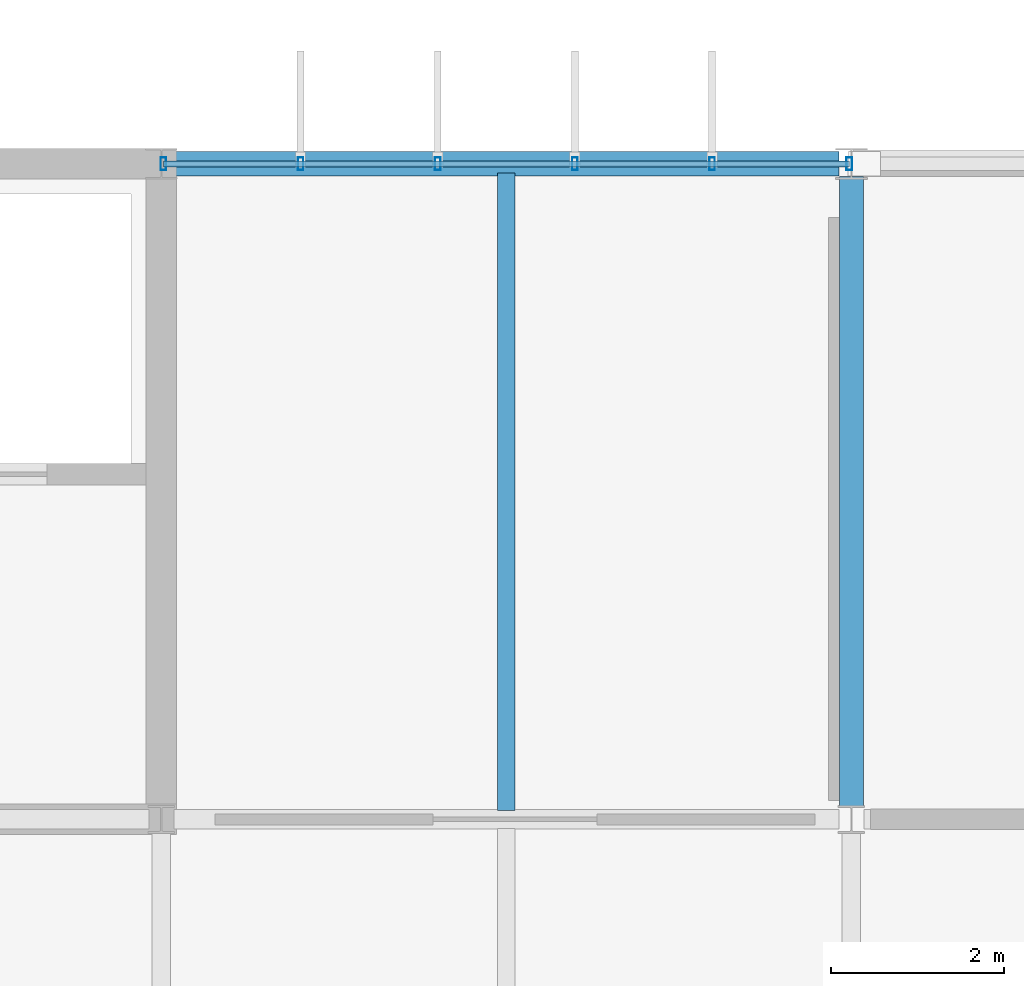
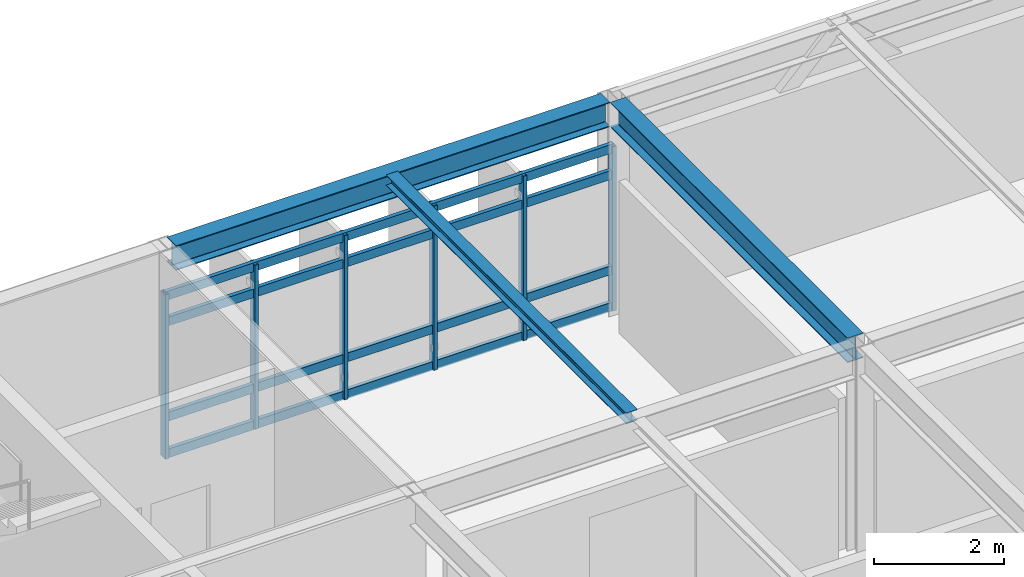
# One storey, part 14 of 45: 10 members, 3 beams, 1 element without a shape of its own.
"""IFC4 building model written with IfcOpenShell, lengths in metres."""

from ifc_helpers import new_model, si_unit, direction, frame, origin, origin_2d, place, context, subcontext, project, spatial, hollow_rectangle, i_section, extrude, material, material_profile, profile_set, type_object, element, aggregate, save


model = new_model("IFC4")

# Units and contexts
model_context = context("Model", 3, precision=1e-05, world=origin(), true_north=direction((0.0, 1.0)))
body_context = subcontext(model_context, "Body", "Model", "MODEL_VIEW")
ifc_project = project(units=[si_unit("LENGTHUNIT", "METRE"), si_unit("AREAUNIT", "SQUARE_METRE"), si_unit("VOLUMEUNIT", "CUBIC_METRE"), si_unit("PLANEANGLEUNIT", "RADIAN"), si_unit("MASSUNIT", "GRAM", prefix="KILO")], contexts=[model_context])

# Site, building, storey
site_placement = place(None, origin())
site = spatial("IfcSite", under=ifc_project, at=site_placement, CompositionType="ELEMENT")
building_placement = place(site_placement, origin())
building = spatial("IfcBuilding", under=site, at=building_placement, Name="Zulena Civic Courthouse", CompositionType="ELEMENT")
storey_placement = place(building_placement, frame((0.0, 0.0, 29.39990234375)))
storey = spatial("IfcBuildingStorey", under=building, at=storey_placement, Name="L06", CompositionType="ELEMENT", Elevation=29.39990234375)

# Curtain wall, members
ifc_material_1 = material(Name="Double-silver low-E laminated solar-control glass", Category="glass")
curtain_wall_type = type_object("IfcCurtainWallType", Name="CW_7952x3090", PredefinedType="USERDEFINED", material=ifc_material_1)
curtain_wall_placement = place(storey_placement, origin())
curtain_wall = element("IfcCurtainWall", 1, at=curtain_wall_placement, inside=storey, type_object=curtain_wall_type, Name="cw:V2:L06:1:2", ObjectType="UNITISED CURTAIN WALL", PredefinedType="USERDEFINED")
ifc_material_2 = material(Name="Bronze anodised thermally broken aluminium AA6063-T6", Category="aluminium")
ifc_material_profile_1 = material_profile(ifc_material_2, hollow_rectangle(XDim=0.06494140625, YDim=0.14990234375, WallThickness=0.00390625, at=origin_2d()), Name="CWM150X65X4")
ifc_profile_set_1 = profile_set([ifc_material_profile_1], Name="Bronze anodised thermally broken aluminium AA6063-T6")
member_type_1 = type_object("IfcMemberType", Name="CWMullion_150x65", PredefinedType="MULLION", material=ifc_profile_set_1)
member_1_placement = place(storey_placement, frame((28.02392578125, 22.800048828125, 0.0), z_axis=(0.0, 0.0, 1.0), x_axis=(1.0, 0.0, 0.0)))
member_1 = element("IfcMember", 2, at=member_1_placement, type_object=member_type_1, Name="cw:V2:L06:1:2:mull:0", PredefinedType="MULLION", context=body_context, shape_type="SweptSolid", body=[
    extrude(hollow_rectangle(XDim=0.06494140625, YDim=0.14990234375, WallThickness=0.00390625, at=origin_2d()), origin(), (0.0, 0.0, 1.0), 3.090087890625),
])
member_2_placement = place(storey_placement, frame((29.614501953125, 22.800048828125, 0.0), z_axis=(0.0, 0.0, 1.0), x_axis=(1.0, 0.0, 0.0)))
member_2 = element("IfcMember", 3, at=member_2_placement, type_object=member_type_1, Name="cw:V2:L06:1:2:mull:1", PredefinedType="MULLION", context=body_context, shape_type="SweptSolid", body=[
    extrude(hollow_rectangle(XDim=0.06494140625, YDim=0.14990234375, WallThickness=0.00390625, at=origin_2d()), origin(), (0.0, 0.0, 1.0), 3.090087890625),
])
member_3_placement = place(storey_placement, frame((31.204833984375, 22.800048828125, 0.0), z_axis=(0.0, 0.0, 1.0), x_axis=(1.0, 0.0, 0.0)))
member_3 = element("IfcMember", 4, at=member_3_placement, type_object=member_type_1, Name="cw:V2:L06:1:2:mull:2", PredefinedType="MULLION", context=body_context, shape_type="SweptSolid", body=[
    extrude(hollow_rectangle(XDim=0.06494140625, YDim=0.14990234375, WallThickness=0.00390625, at=origin_2d()), origin(), (0.0, 0.0, 1.0), 3.090087890625),
])
member_4_placement = place(storey_placement, frame((32.795166015625, 22.800048828125, 0.0), z_axis=(0.0, 0.0, 1.0), x_axis=(1.0, 0.0, 0.0)))
member_4 = element("IfcMember", 5, at=member_4_placement, type_object=member_type_1, Name="cw:V2:L06:1:2:mull:3", PredefinedType="MULLION", context=body_context, shape_type="SweptSolid", body=[
    extrude(hollow_rectangle(XDim=0.06494140625, YDim=0.14990234375, WallThickness=0.00390625, at=origin_2d()), origin(), (0.0, 0.0, 1.0), 3.090087890625),
])
member_5_placement = place(storey_placement, frame((34.385498046875, 22.800048828125, 0.0), z_axis=(0.0, 0.0, 1.0), x_axis=(1.0, 0.0, 0.0)))
member_5 = element("IfcMember", 6, at=member_5_placement, type_object=member_type_1, Name="cw:V2:L06:1:2:mull:4", PredefinedType="MULLION", context=body_context, shape_type="SweptSolid", body=[
    extrude(hollow_rectangle(XDim=0.06494140625, YDim=0.14990234375, WallThickness=0.00390625, at=origin_2d()), origin(), (0.0, 0.0, 1.0), 3.090087890625),
])
member_6_placement = place(storey_placement, frame((35.97607421875, 22.800048828125, 0.0), z_axis=(0.0, 0.0, 1.0), x_axis=(1.0, 0.0, 0.0)))
member_6 = element("IfcMember", 7, at=member_6_placement, type_object=member_type_1, Name="cw:V2:L06:1:2:mull:5", PredefinedType="MULLION", context=body_context, shape_type="SweptSolid", body=[
    extrude(hollow_rectangle(XDim=0.06494140625, YDim=0.14990234375, WallThickness=0.00390625, at=origin_2d()), origin(), (0.0, 0.0, 1.0), 3.090087890625),
])
ifc_material_profile_2 = material_profile(ifc_material_2, hollow_rectangle(XDim=0.070068359375, YDim=0.1650390625, WallThickness=0.00390625, at=origin_2d()), Name="CWT165X70X4")
ifc_profile_set_2 = profile_set([ifc_material_profile_2], Name="Bronze anodised thermally broken aluminium AA6063-T6")
member_type_2 = type_object("IfcMemberType", Name="CWTransom_165x70", PredefinedType="USERDEFINED", material=ifc_profile_set_2)
member_7_placement = place(storey_placement, frame((28.02392578125, 22.800048828125, 0.06005859375), z_axis=(1.0, 0.0, 0.0), x_axis=(0.0, 1.0, 0.0)))
member_7 = element("IfcMember", 8, at=member_7_placement, type_object=member_type_2, Name="cw:V2:L06:1:2:tran:0", ObjectType="TRANSOM", PredefinedType="USERDEFINED", context=body_context, shape_type="SweptSolid", body=[
    extrude(hollow_rectangle(XDim=0.070068359375, YDim=0.1650390625, WallThickness=0.00390625, at=origin_2d()), origin(), (0.0, 0.0, 1.0), 7.9521484375),
])
member_8_placement = place(storey_placement, frame((28.02392578125, 22.800048828125, 0.75), z_axis=(1.0, 0.0, 0.0), x_axis=(0.0, 1.0, 0.0)))
member_8 = element("IfcMember", 9, at=member_8_placement, type_object=member_type_2, Name="cw:V2:L06:1:2:tran:1", ObjectType="TRANSOM", PredefinedType="USERDEFINED", context=body_context, shape_type="SweptSolid", body=[
    extrude(hollow_rectangle(XDim=0.070068359375, YDim=0.1650390625, WallThickness=0.00390625, at=origin_2d()), origin(), (0.0, 0.0, 1.0), 7.9521484375),
])
member_9_placement = place(storey_placement, frame((28.02392578125, 22.800048828125, 2.5400390625), z_axis=(1.0, 0.0, 0.0), x_axis=(0.0, 1.0, 0.0)))
member_9 = element("IfcMember", 10, at=member_9_placement, type_object=member_type_2, Name="cw:V2:L06:1:2:tran:2", ObjectType="TRANSOM", PredefinedType="USERDEFINED", context=body_context, shape_type="SweptSolid", body=[
    extrude(hollow_rectangle(XDim=0.070068359375, YDim=0.1650390625, WallThickness=0.00390625, at=origin_2d()), origin(), (0.0, 0.0, 1.0), 7.9521484375),
])
member_10_placement = place(storey_placement, frame((28.02392578125, 22.800048828125, 3.030029296875), z_axis=(1.0, 0.0, 0.0), x_axis=(0.0, 1.0, 0.0)))
member_10 = element("IfcMember", 11, at=member_10_placement, type_object=member_type_2, Name="cw:V2:L06:1:2:tran:3", ObjectType="TRANSOM", PredefinedType="USERDEFINED", context=body_context, shape_type="SweptSolid", body=[
    extrude(hollow_rectangle(XDim=0.070068359375, YDim=0.1650390625, WallThickness=0.00390625, at=origin_2d()), origin(), (0.0, 0.0, 1.0), 7.9521484375),
])
aggregate(curtain_wall, [member_1, member_2, member_3, member_4, member_5, member_6, member_7, member_8, member_9, member_10])

# Beams
ifc_material_3 = material(Name="Steel ASTM A992 Grade 50", Category="steel")
ifc_material_profile_3 = material_profile(ifc_material_3, i_section(OverallWidth=0.202880859375, OverallDepth=0.202880859375, WebThickness=0.007080078125, FlangeThickness=0.010986328125, FilletRadius=0.007568359375, at=origin_2d()), Name="W8X31")
ifc_profile_set_3 = profile_set([ifc_material_profile_3], Name="Steel ASTM A992 Grade 50")
beam_type_1 = type_object("IfcBeamType", Name="Joist_W8X31", PredefinedType="JOIST", material=ifc_profile_set_3)
beam_1_placement = place(storey_placement, frame((32.0, 15.304931640625, 3.898681640625), z_axis=(0.0, 1.0, 0.0), x_axis=(-1.0, 0.0, 0.0)))
element("IfcBeam", 12, at=beam_1_placement, inside=storey, type_object=beam_type_1, Name="joist:V2:L06:32.00:15.2_22.8", PredefinedType="JOIST", context=body_context, shape_type="SweptSolid", body=[
    extrude(i_section(OverallWidth=0.202880859375, OverallDepth=0.202880859375, WebThickness=0.007080078125, FlangeThickness=0.010986328125, FilletRadius=0.007568359375, at=origin_2d()), origin(), (0.0, 0.0, 1.0), 7.39013671875),
])
ifc_material_profile_4 = material_profile(ifc_material_3, i_section(OverallWidth=0.280029296875, OverallDepth=0.462890625, WebThickness=0.0107421875, FlangeThickness=0.017333984375, FilletRadius=0.01025390625, at=origin_2d()), Name="W18X76")
ifc_profile_set_4 = profile_set([ifc_material_profile_4], Name="Steel ASTM A992 Grade 50")
beam_type_2 = type_object("IfcBeamType", Name="Spandrel_W18X76", PredefinedType="SPANDREL", material=ifc_profile_set_4)
beam_2_placement = place(storey_placement, frame((28.14501953125, 22.800048828125, 3.7685546875), z_axis=(1.0, 0.0, 0.0), x_axis=(0.0, 1.0, 0.0)))
element("IfcBeam", 13, at=beam_2_placement, inside=storey, type_object=beam_type_2, Name="beam:X:V2:L06:22.8:28.0_36.0", PredefinedType="SPANDREL", context=body_context, shape_type="SweptSolid", body=[
    extrude(i_section(OverallWidth=0.280029296875, OverallDepth=0.462890625, WebThickness=0.0107421875, FlangeThickness=0.017333984375, FilletRadius=0.01025390625, at=origin_2d()), origin(), (0.0, 0.0, 1.0), 7.7099609375),
])
beam_3_placement = place(storey_placement, frame((36.0, 15.344970703125, 3.7685546875), z_axis=(0.0, 1.0, 0.0), x_axis=(-1.0, 0.0, 0.0)))
element("IfcBeam", 14, at=beam_3_placement, inside=storey, type_object=beam_type_2, Name="beam:Y:V2:L06:36.0:15.2_22.8", PredefinedType="SPANDREL", context=body_context, shape_type="SweptSolid", body=[
    extrude(i_section(OverallWidth=0.280029296875, OverallDepth=0.462890625, WebThickness=0.0107421875, FlangeThickness=0.017333984375, FilletRadius=0.01025390625, at=origin_2d()), origin(), (0.0, 0.0, 1.0), 7.31005859375),
])

save(model, "model.ifc")
